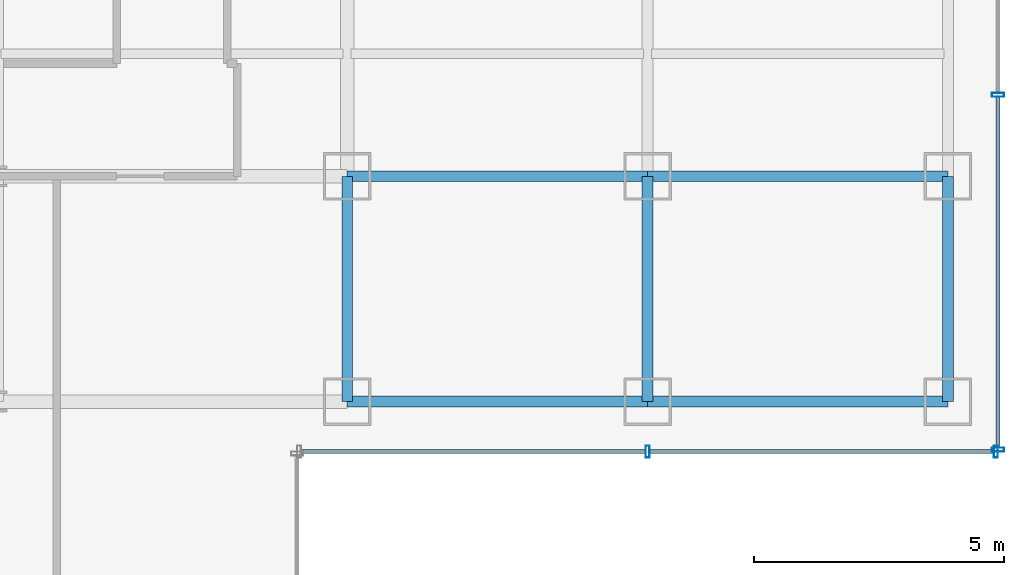
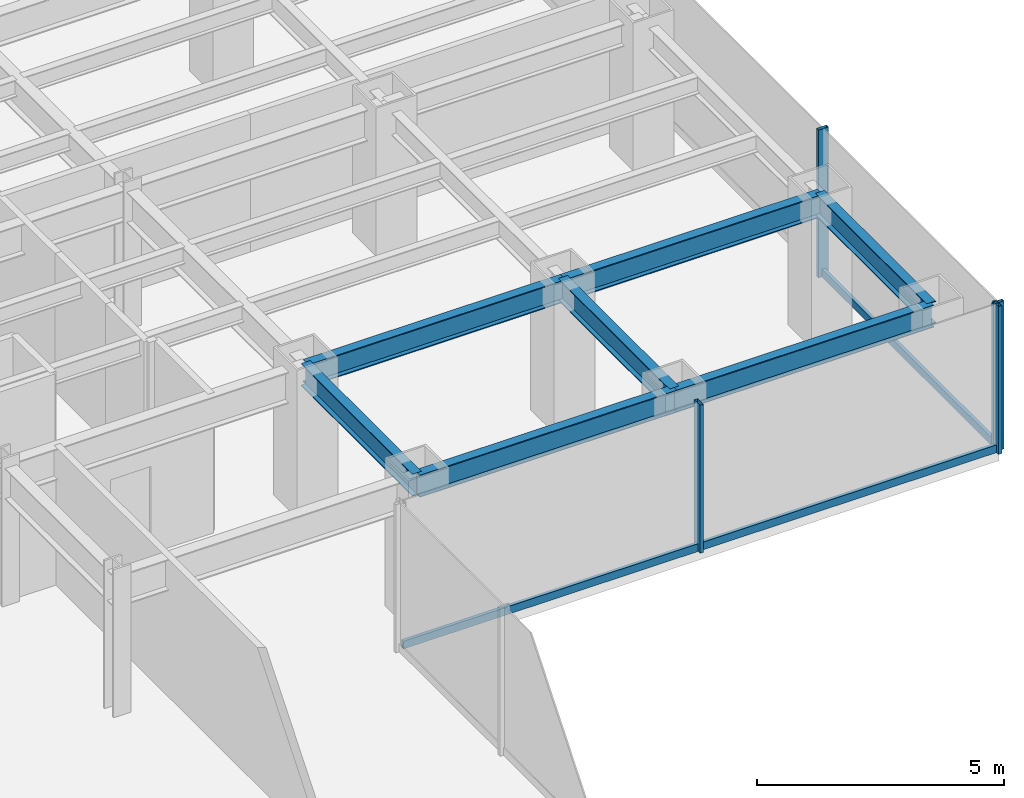
# One storey, part 7 of 22: 7 beams, 7 members, 2 elements without a shape of their own.
"""IFC4 building model written with IfcOpenShell, lengths in metres."""

from ifc_helpers import new_model, si_unit, derived_unit, direction, frame, origin, origin_2d, place, context, subcontext, project, spatial, hollow_rectangle, i_section, extrude, source, transform, mapped, material, material_profile, profile_set, type_object, element, aggregate, save


model = new_model("IFC4")

# Units and contexts
model_context = context("Model", 3, precision=1e-05, world=origin(), true_north=direction((0.0, 1.0)))
body_context = subcontext(model_context, "Body", "Model", "MODEL_VIEW")
ifc_project = project(units=[si_unit("LENGTHUNIT", "METRE"), si_unit("AREAUNIT", "SQUARE_METRE"), si_unit("VOLUMEUNIT", "CUBIC_METRE"), si_unit("PLANEANGLEUNIT", "RADIAN"), si_unit("MASSUNIT", "GRAM", prefix="KILO"), derived_unit("THERMALTRANSMITTANCEUNIT", [(si_unit("POWERUNIT", "WATT"), 1), (si_unit("LENGTHUNIT", "METRE"), -2), (si_unit("THERMODYNAMICTEMPERATUREUNIT", "KELVIN"), -1)])], contexts=[model_context])

# Site, building, storey
site_placement = place(None, origin())
site = spatial("IfcSite", under=ifc_project, at=site_placement, CompositionType="ELEMENT")
building_placement = place(site_placement, origin())
building = spatial("IfcBuilding", under=site, at=building_placement, Name="Skarnbrae Concourse Arena and Tower", CompositionType="ELEMENT")
storey_placement = place(building_placement, frame((0.0, 0.0, 76.300048828125)))
storey = spatial("IfcBuildingStorey", under=building, at=storey_placement, Name="L18", CompositionType="ELEMENT", Elevation=76.300048828125)

# Beams
ifc_material_1 = material(Name="Steel CSA G40.21 350W", Category="steel")
ifc_material_profile_1 = material_profile(ifc_material_1, i_section(OverallWidth=0.214111328125, OverallDepth=0.549072265625, WebThickness=0.0146484375, FlangeThickness=0.023681640625, at=origin_2d()), Name="W530X138")
ifc_profile_set_1 = profile_set([ifc_material_profile_1], Name="Steel CSA G40.21 350W")
beam_type = type_object("IfcBeamType", Name="BM-SPAN-W530X138", PredefinedType="SPANDREL", material=ifc_profile_set_1)
shared_shape_1 = source(origin(), body_context, "Body", "SweptSolid", [
    extrude(i_section(OverallWidth=0.214111328125, OverallDepth=0.549072265625, WebThickness=0.0146484375, FlangeThickness=0.023681640625, at=origin_2d()), origin(), (0.0, 0.0, 1.0), 6.0),
])
for number, where, z_axis, x_axis, name in (
    (1, (49.0, 9.5, 3.12548828125), (1.0, 0.0, 0.0), (0.0, 1.0, 0.0), "L18 Perimeter spandrel Y9.5-3"),
    (2, (55.0, 9.5, 3.12548828125), (1.0, 0.0, 0.0), (0.0, 1.0, 0.0), "L18 Perimeter spandrel Y9.5-4"),
    (3, (49.0, 14.0, 3.12548828125), (1.0, 0.0, 0.0), (0.0, 1.0, 0.0), "L18 Perimeter spandrel Y14.0-8"),
    (4, (55.0, 14.0, 3.12548828125), (1.0, 0.0, 0.0), (0.0, 1.0, 0.0), "L18 Perimeter spandrel Y14.0-9"),
):
    element("IfcBeam", number, at=place(storey_placement, frame(where, z_axis=z_axis, x_axis=x_axis)), inside=storey, type_object=beam_type, Name=name, PredefinedType="SPANDREL", context=body_context, shape_type="MappedRepresentation", body=[
        mapped(shared_shape_1, transform((0.0, 0.0, 0.0))),
    ])
shared_shape_2 = source(origin(), body_context, "Body", "SweptSolid", [
    extrude(i_section(OverallWidth=0.214111328125, OverallDepth=0.549072265625, WebThickness=0.0146484375, FlangeThickness=0.023681640625, at=origin_2d()), origin(), (0.0, 0.0, 1.0), 4.5),
])
for number, where, z_axis, x_axis, name in (
    (5, (49.0, 9.5, 3.12548828125), (0.0, 1.0, 0.0), (-1.0, 0.0, 0.0), "L18 Perimeter spandrel X49.0-1"),
    (6, (55.0, 9.5, 3.12548828125), (0.0, 1.0, 0.0), (-1.0, 0.0, 0.0), "L18 Perimeter spandrel X55.0-1"),
    (7, (61.0, 9.5, 3.12548828125), (0.0, 1.0, 0.0), (-1.0, 0.0, 0.0), "L18 Perimeter spandrel X61.0-1"),
):
    element("IfcBeam", number, at=place(storey_placement, frame(where, z_axis=z_axis, x_axis=x_axis)), inside=storey, type_object=beam_type, Name=name, PredefinedType="SPANDREL", context=body_context, shape_type="MappedRepresentation", body=[
        mapped(shared_shape_2, transform((0.0, 0.0, 0.0))),
    ])

# Curtain wall, members
ifc_material_2 = material(Name="Bronze anodised aluminium 6063-T6", Category="aluminium")
curtain_wall_type = type_object("IfcCurtainWallType", Name="CW-SYS-02-LOWZONE", PredefinedType="USERDEFINED", material=ifc_material_2)
curtain_wall_1_placement = place(storey_placement, origin())
curtain_wall_1 = element("IfcCurtainWall", 8, at=curtain_wall_1_placement, inside=storey, type_object=curtain_wall_type, Name="L18 Unitised curtain wall CW-L18-E03", ObjectType="UNITISED CURTAIN WALL", PredefinedType="USERDEFINED")
ifc_material_profile_2 = material_profile(ifc_material_2, hollow_rectangle(XDim=0.080078125, YDim=0.239990234375, WallThickness=0.0048828125, at=origin_2d()), Name="ALU-MULL-80X240")
ifc_profile_set_2 = profile_set([ifc_material_profile_2], Name="Bronze anodised aluminium 6063-T6")
member_type_1 = type_object("IfcMemberType", Name="CWM-CW-02", PredefinedType="MULLION", material=ifc_profile_set_2)
shared_shape_3 = source(origin(), body_context, "Body", "SweptSolid", [
    extrude(hollow_rectangle(XDim=0.080078125, YDim=0.239990234375, WallThickness=0.0048828125, at=origin_2d()), origin(), (0.0, 0.0, 1.0), 3.64990234375),
])
member_1_placement = place(storey_placement, frame((55.0, 8.5, 0.0), z_axis=(0.0, 0.0, 1.0), x_axis=(1.0, 0.0, 0.0)))
member_1 = element("IfcMember", 9, at=member_1_placement, type_object=member_type_1, Name="CW-L18-E03 Mullion 2", PredefinedType="MULLION", context=body_context, shape_type="MappedRepresentation", body=[
    mapped(shared_shape_3, transform((0.0, 0.0, 0.0))),
])
member_2_placement = place(storey_placement, frame((61.9599609375, 8.5, 0.0), z_axis=(0.0, 0.0, 1.0), x_axis=(1.0, 0.0, 0.0)))
member_2 = element("IfcMember", 10, at=member_2_placement, type_object=member_type_1, Name="CW-L18-E03 Mullion 3", PredefinedType="MULLION", context=body_context, shape_type="MappedRepresentation", body=[
    mapped(shared_shape_3, transform((0.0, 0.0, 0.0))),
])

curtain_wall_2_placement = place(storey_placement, origin())
curtain_wall_2 = element("IfcCurtainWall", 11, at=curtain_wall_2_placement, inside=storey, type_object=curtain_wall_type, Name="L18 Unitised curtain wall CW-L18-E04", ObjectType="UNITISED CURTAIN WALL", PredefinedType="USERDEFINED")
member_3_placement = place(storey_placement, frame((62.0, 8.5400390625, 0.0), z_axis=(0.0, 0.0, 1.0), x_axis=(0.0, 1.0, 0.0)))
member_3 = element("IfcMember", 12, at=member_3_placement, type_object=member_type_1, Name="CW-L18-E04 Mullion 1", PredefinedType="MULLION", context=body_context, shape_type="MappedRepresentation", body=[
    mapped(shared_shape_3, transform((0.0, 0.0, 0.0))),
])
member_4_placement = place(storey_placement, frame((62.0, 15.625, 0.0), z_axis=(0.0, 0.0, 1.0), x_axis=(0.0, 1.0, 0.0)))
member_4 = element("IfcMember", 13, at=member_4_placement, type_object=member_type_1, Name="CW-L18-E04 Mullion 2", PredefinedType="MULLION", context=body_context, shape_type="MappedRepresentation", body=[
    mapped(shared_shape_3, transform((0.0, 0.0, 0.0))),
])

# Member
ifc_material_profile_3 = material_profile(ifc_material_2, hollow_rectangle(XDim=0.080078125, YDim=0.18994140625, WallThickness=0.0048828125, at=origin_2d()), Name="ALU-TRAN-80X190")
ifc_profile_set_3 = profile_set([ifc_material_profile_3], Name="Bronze anodised aluminium 6063-T6")
member_type_2 = type_object("IfcMemberType", Name="CWT-CW-02", PredefinedType="USERDEFINED", material=ifc_profile_set_3)
shared_shape_4 = source(origin(), body_context, "Body", "SweptSolid", [
    extrude(hollow_rectangle(XDim=0.080078125, YDim=0.18994140625, WallThickness=0.0048828125, at=origin_2d()), origin(), (0.0, 0.0, 1.0), 6.8798828125),
])
member_5_placement = place(storey_placement, frame((48.080078125, 8.5, 0.094970703125), z_axis=(1.0, 0.0, 0.0), x_axis=(0.0, 1.0, 0.0)))
member_5 = element("IfcMember", 14, at=member_5_placement, type_object=member_type_2, Name="CW-L18-E03 Transom 1", ObjectType="TRANSOM", PredefinedType="USERDEFINED", context=body_context, shape_type="MappedRepresentation", body=[
    mapped(shared_shape_4, transform((0.0, 0.0, 0.0))),
])

member_6_placement = place(storey_placement, frame((55.0400390625, 8.5, 0.094970703125), z_axis=(1.0, 0.0, 0.0), x_axis=(0.0, 1.0, 0.0)))
member_6 = element("IfcMember", 15, at=member_6_placement, type_object=member_type_2, Name="CW-L18-E03 Transom 2", ObjectType="TRANSOM", PredefinedType="USERDEFINED", context=body_context, shape_type="MappedRepresentation", body=[
    mapped(shared_shape_4, transform((0.0, 0.0, 0.0))),
])

aggregate(curtain_wall_1, [member_1, member_2, member_5, member_6])

shared_shape_5 = source(origin(), body_context, "Body", "SweptSolid", [
    extrude(hollow_rectangle(XDim=0.080078125, YDim=0.18994140625, WallThickness=0.0048828125, at=origin_2d()), origin(), (0.0, 0.0, 1.0), 7.0048828125),
])
member_7_placement = place(storey_placement, frame((62.0, 8.580078125, 0.094970703125), z_axis=(0.0, 1.0, 0.0), x_axis=(-1.0, 0.0, 0.0)))
member_7 = element("IfcMember", 16, at=member_7_placement, type_object=member_type_2, Name="CW-L18-E04 Transom 1", ObjectType="TRANSOM", PredefinedType="USERDEFINED", context=body_context, shape_type="MappedRepresentation", body=[
    mapped(shared_shape_5, transform((0.0, 0.0, 0.0))),
])

aggregate(curtain_wall_2, [member_3, member_4, member_7])

save(model, "model.ifc")
